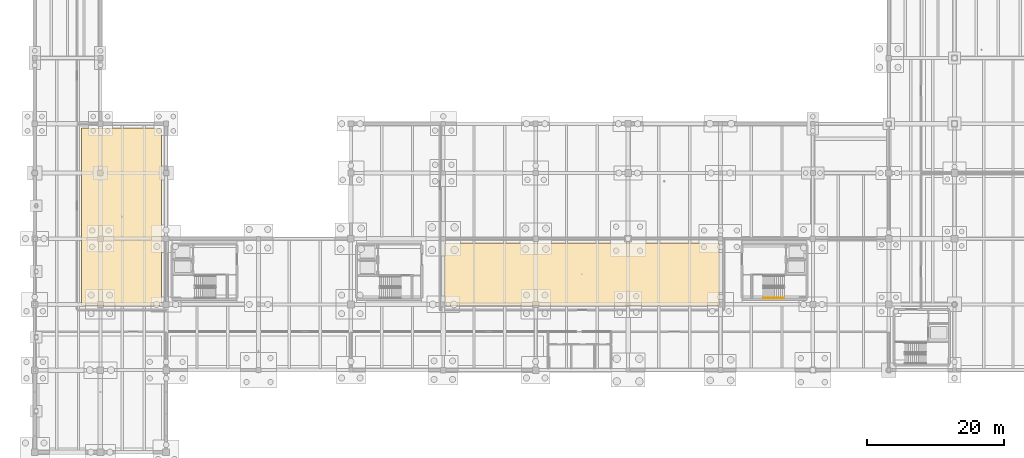
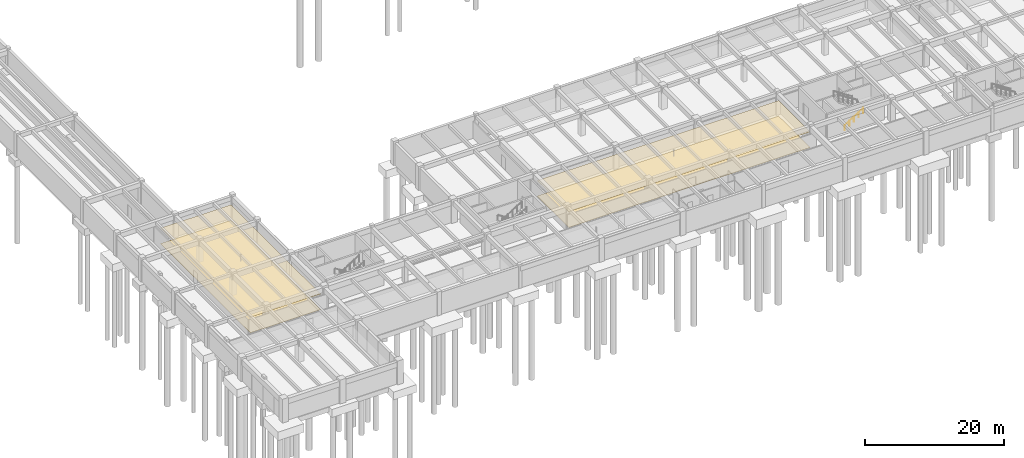
# One storey, part 34 of 41: 4 coverings, 1 railing.
"""IFC4 building model written with IfcOpenShell, lengths in metres."""

from ifc_helpers import new_model, si_unit, direction, frame, origin, origin_2d, place, context, subcontext, project, spatial, polyline, circle, outline, extrude, material, layer, layer_set, type_object, element, save


model = new_model("IFC4")

# Units and contexts
model_context = context("Model", 3, precision=1e-05, world=origin(), true_north=direction((0.0, 1.0)))
body_context = subcontext(model_context, "Body", "Model", "MODEL_VIEW")
ifc_project = project(units=[si_unit("LENGTHUNIT", "METRE"), si_unit("AREAUNIT", "SQUARE_METRE"), si_unit("VOLUMEUNIT", "CUBIC_METRE"), si_unit("PLANEANGLEUNIT", "RADIAN"), si_unit("MASSUNIT", "GRAM", prefix="KILO")], contexts=[model_context])

# Site, building, storey
site_placement = place(None, origin())
site = spatial("IfcSite", under=ifc_project, at=site_placement, CompositionType="ELEMENT")
building_placement = place(site_placement, origin())
building = spatial("IfcBuilding", under=site, at=building_placement, Name="Fikremerkos Civic Library", CompositionType="ELEMENT")
storey_placement = place(building_placement, frame((0.0, 0.0, -8.39990234375)))
storey = spatial("IfcBuildingStorey", under=building, at=storey_placement, Name="B02", CompositionType="ELEMENT", Elevation=-8.39990234375)

# Coverings
ifc_material_1 = material(Name="Perforated acoustic cedar timber", Category="wood")
ifc_layer_1 = layer(ifc_material_1, 0.02490234375, Name="Perforated acoustic cedar timber")
ifc_layer_set_1 = layer_set([ifc_layer_1], Name="Perforated acoustic cedar timber")
covering_type_1 = type_object("IfcCoveringType", Name="Acoustic perforated timber ceiling CLG-01", PredefinedType="CEILING", material=ifc_layer_set_1)
covering_1_placement = place(storey_placement, frame((0.0, 0.0, 2.739990234375)))
element("IfcCovering", 1, at=covering_1_placement, inside=storey, type_object=covering_type_1, Name="Acoustic ceiling Rare Books and Manuscript Vault 2", PredefinedType="CEILING", context=body_context, shape_type="SweptSolid", body=[
    extrude(outline(polyline([(6.85009765625, 21.449951171875), (6.85009765625, 47.35009765625), (18.550048828125, 47.35009765625), (18.550048828125, 21.449951171875), (6.85009765625, 21.449951171875)])), origin(), (0.0, 0.0, 1.0), 0.02490234375),
])
covering_2_placement = place(storey_placement, frame((0.0, 0.0, 2.739990234375)))
element("IfcCovering", 2, at=covering_2_placement, inside=storey, type_object=covering_type_1, Name="Acoustic ceiling Compact Archive Stacks Central", PredefinedType="CEILING", context=body_context, shape_type="SweptSolid", body=[
    extrude(outline(polyline([(59.85009765625, 21.449951171875), (59.85009765625, 30.550048828125), (100.050048828125, 30.550048828125), (100.050048828125, 21.449951171875), (59.85009765625, 21.449951171875)])), origin(), (0.0, 0.0, 1.0), 0.02490234375),
])
ifc_material_2 = material(Name="Polished basalt terrazzo", Category="masonry")
ifc_layer_2 = layer(ifc_material_2, 0.030029296875, Name="Polished basalt terrazzo")
ifc_layer_set_2 = layer_set([ifc_layer_2], Name="Polished basalt terrazzo")
covering_type_2 = type_object("IfcCoveringType", Name="Polished basalt terrazzo flooring FLR-01", PredefinedType="FLOORING", material=ifc_layer_set_2)
covering_3_placement = place(storey_placement, origin())
element("IfcCovering", 3, at=covering_3_placement, inside=storey, type_object=covering_type_2, Name="Terrazzo floor finish Rare Books and Manuscript Vault 2", PredefinedType="FLOORING", context=body_context, shape_type="SweptSolid", body=[
    extrude(outline(polyline([(6.85009765625, 21.449951171875), (6.85009765625, 47.35009765625), (18.550048828125, 47.35009765625), (18.550048828125, 21.449951171875), (6.85009765625, 21.449951171875)])), origin(), (0.0, 0.0, 1.0), 0.02978515625),
])
covering_4_placement = place(storey_placement, origin())
element("IfcCovering", 4, at=covering_4_placement, inside=storey, type_object=covering_type_2, Name="Terrazzo floor finish Compact Archive Stacks Central", PredefinedType="FLOORING", context=body_context, shape_type="SweptSolid", body=[
    extrude(outline(polyline([(59.85009765625, 21.449951171875), (59.85009765625, 30.550048828125), (100.050048828125, 30.550048828125), (100.050048828125, 21.449951171875), (59.85009765625, 21.449951171875)])), origin(), (0.0, 0.0, 1.0), 0.02978515625),
])

# Railing
ifc_material_3 = material(Name="Brushed stainless steel", Category="steel")
railing_type = type_object("IfcRailingType", Name="Wall and flight handrail HRL-01 900", PredefinedType="HANDRAIL", material=ifc_material_3)
railing_placement = place(storey_placement, frame((106.449951171875, 22.550048828125, 0.1748046875)))
element("IfcRailing", 5, at=railing_placement, inside=storey, type_object=railing_type, Name="B02 ST-K2 stair handrail 1", PredefinedType="HANDRAIL", context=body_context, shape_type="SweptSolid", body=[
    extrude(circle(Radius=0.02392578125, at=origin_2d()), frame((0.0, 0.0, 0.8759765625), z_axis=(0.847998304005, 0.0, 0.529998940003), x_axis=(0.0, 1.0, 0.0)), (0.0, 0.0, 1.0), 3.632080078125),
    extrude(circle(Radius=0.02099609375, at=origin_2d()), origin(), (0.0, 0.0, 1.0), 0.851806640625),
    extrude(circle(Radius=0.02099609375, at=origin_2d()), frame((0.77001953125, 0.0, 0.481201171875)), (0.0, 0.0, 1.0), 0.851806640625),
    extrude(circle(Radius=0.02099609375, at=origin_2d()), frame((1.5400390625, 0.0, 0.96240234375)), (0.0, 0.0, 1.0), 0.851806640625),
    extrude(circle(Radius=0.02099609375, at=origin_2d()), frame((2.31005859375, 0.0, 1.44384765625)), (0.0, 0.0, 1.0), 0.851806640625),
    extrude(circle(Radius=0.02099609375, at=origin_2d()), frame((3.080078125, 0.0, 1.925048828125)), (0.0, 0.0, 1.0), 0.851806640625),
])

save(model, "model.ifc")
